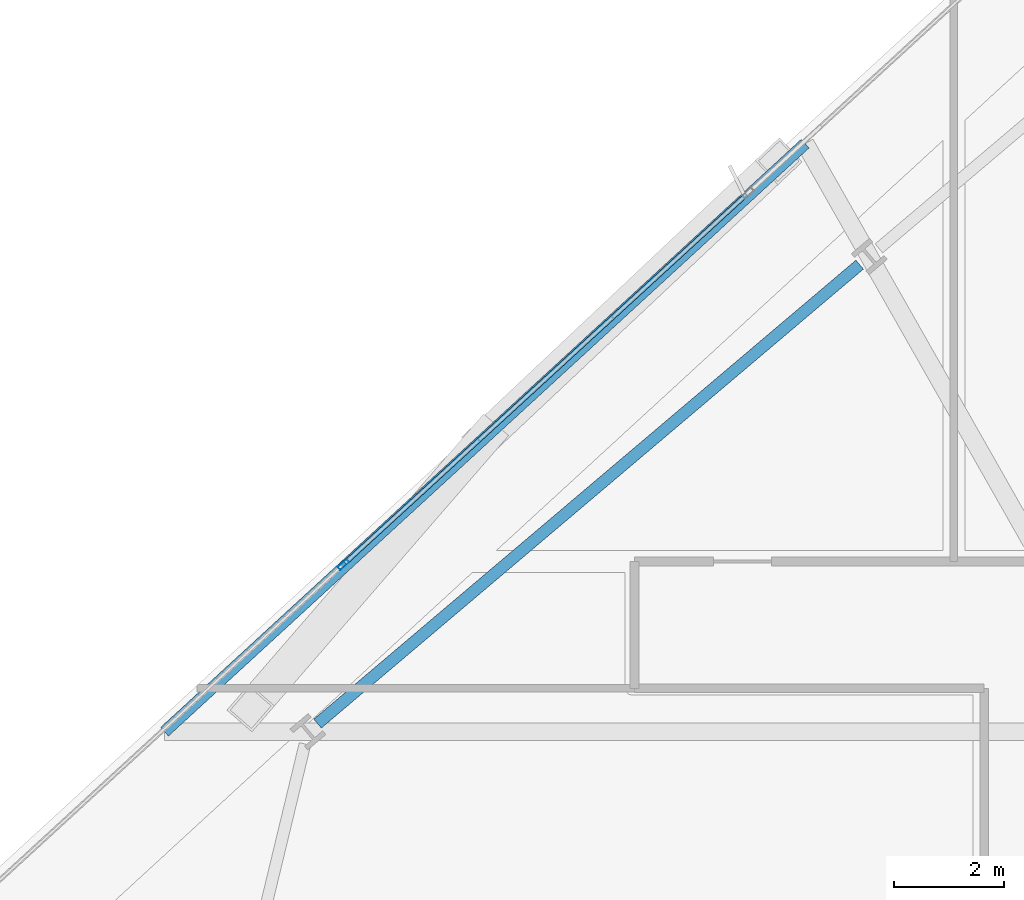
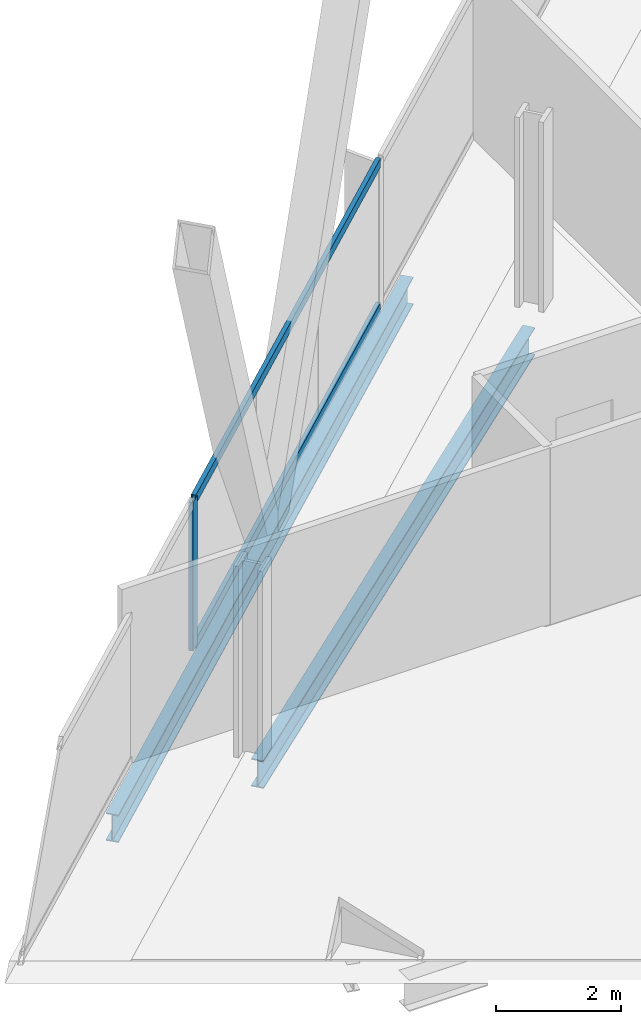
# One storey, part 15 of 32: 3 members, 2 beams, 1 element without a shape of its own.
"""IFC4 building model written with IfcOpenShell, lengths in metres."""

import ifcopenshell
import ifcopenshell.guid

model = None  # the IFC model being written
_history = None  # IfcOwnerHistory: only IFC2X3 demands one
_inside = {}  # id of a spatial element -> (the spatial element, [elements in it])
_under = {}  # id of a project, library or spatial element -> (it, [spatial elements below it])
_declared = {}  # id of a project -> (the project, [libraries it declares])
_typed = {}  # id of a type object -> (the type object, [elements of that type])
_made_of = {}  # id of a material, layer set ... -> (it, [elements and type objects made of it])


def new_model(schema):
    """Start an empty IFC model of exactly this schema.

    Asked for "IFC4X3", IfcOpenShell would pick the latest addendum, in which some entities
    have other attributes; the version numbers below select the first issue.
    IFC2X3 requires an IfcOwnerHistory on every rooted entity: one is made here for all.
    """
    global model, _history
    if schema == "IFC4X3":
        model = ifcopenshell.file(schema_version=(4, 3, 0, 0))
    else:
        model = ifcopenshell.file(schema=schema)
    _inside.clear()
    _under.clear()
    _declared.clear()
    _typed.clear()
    _made_of.clear()
    _history = None
    if model.schema == "IFC2X3":
        org = make("IfcOrganization", Name="unknown")
        user = make(
            "IfcPersonAndOrganization",
            ThePerson=make("IfcPerson", FamilyName="unknown"),
            TheOrganization=org,
        )
        app = make(
            "IfcApplication",
            ApplicationDeveloper=org,
            Version="unknown",
            ApplicationFullName="unknown",
            ApplicationIdentifier="unknown",
        )
        _history = make(
            "IfcOwnerHistory",
            OwningUser=user,
            OwningApplication=app,
            ChangeAction="ADDED",
            CreationDate=0,
        )
    return model


def make(cls, **values):
    """One entity of the class cls with the attributes given. An attribute that is None is left unset."""
    return model.create_entity(
        cls, **{name: value for name, value in values.items() if value is not None}
    )


def rooted(cls, **values):
    """An entity with a GlobalId (a new one), such as an element, a storey or a relation."""
    return make(cls, GlobalId=ifcopenshell.guid.new(), OwnerHistory=_history, **values)


def si_unit(unit_type, name, prefix=None):
    """IfcSIUnit, for example si_unit("LENGTHUNIT", "METRE", prefix="MILLI")."""
    return make("IfcSIUnit", UnitType=unit_type, Prefix=prefix, Name=name)


def assignment(units):
    """IfcUnitAssignment: the units of a project."""
    return None if units is None else make("IfcUnitAssignment", Units=units)


def point(xyz):
    """IfcCartesianPoint."""
    return None if xyz is None else make("IfcCartesianPoint", Coordinates=xyz)


def direction(xyz):
    """IfcDirection."""
    return None if xyz is None else make("IfcDirection", DirectionRatios=xyz)


def frame(location, z_axis=None, x_axis=None):
    """IfcAxis2Placement3D, a coordinate frame: its origin and axes. An axis left out is left unset."""
    return make(
        "IfcAxis2Placement3D",
        Location=point(location),
        Axis=direction(z_axis),
        RefDirection=direction(x_axis),
    )


def frame_2d(location, x_axis=None):
    """IfcAxis2Placement2D, a coordinate frame in the plane: its origin and x axis."""
    return make(
        "IfcAxis2Placement2D", Location=point(location), RefDirection=direction(x_axis)
    )


def origin():
    """The frame at (0, 0, 0) with its axes left unset."""
    return frame((0.0, 0.0, 0.0))


def origin_2d():
    """The frame at (0, 0) in the plane with its x axis left unset."""
    return frame_2d((0.0, 0.0))


def place(relative_to, where):
    """IfcLocalPlacement: puts the frame where relative to a parent placement (None: the world)."""
    return make(
        "IfcLocalPlacement", PlacementRelTo=relative_to, RelativePlacement=where
    )


def context(
    kind, dimensions, precision=None, world=None, true_north=None, identifier=None
):
    """IfcGeometricRepresentationContext, for example the 3D "Model" context."""
    return make(
        "IfcGeometricRepresentationContext",
        ContextIdentifier=identifier,
        ContextType=kind,
        CoordinateSpaceDimension=dimensions,
        Precision=precision,
        WorldCoordinateSystem=world,
        TrueNorth=true_north,
    )


def subcontext(parent, identifier, kind, view, scale=None):
    """IfcGeometricRepresentationSubContext, for example "Body" below "Model"."""
    return make(
        "IfcGeometricRepresentationSubContext",
        ContextIdentifier=identifier,
        ContextType=kind,
        ParentContext=parent,
        TargetScale=scale,
        TargetView=view,
    )


def project(units=None, contexts=None):
    """IfcProject with its units and contexts."""
    return rooted(
        "IfcProject",
        Name="project",
        RepresentationContexts=contexts,
        UnitsInContext=assignment(units),
    )


def spatial(cls, under=None, at=None, **own):
    """A site, building, storey or space (cls), placed at a placement, below another one or the project."""
    s = rooted(cls, ObjectPlacement=at, **own)
    if under is not None:
        _under.setdefault(under.id(), (under, []))[1].append(s)
    return s


def profile(cls, at=None, kind="AREA", **sizes):
    """A parametric profile (cls). Its sizes go by their IFC names, for example OverallWidth=200.0."""
    return make(cls, ProfileType=kind, Position=at, **sizes)


def hollow_rectangle(**sizes):
    """IfcRectangleHollowProfileDef."""
    return profile("IfcRectangleHollowProfileDef", **sizes)


def i_section(**sizes):
    """IfcIShapeProfileDef."""
    return profile("IfcIShapeProfileDef", **sizes)


def extrude(swept, where, along, depth):
    """IfcExtrudedAreaSolid: the profile swept, set in the frame where, extruded along a direction by depth."""
    return make(
        "IfcExtrudedAreaSolid",
        SweptArea=swept,
        Position=where,
        ExtrudedDirection=direction(along),
        Depth=depth,
    )


def shape(context_of_items, identifier, shape_type, items):
    """IfcShapeRepresentation: the items that make up one representation, for example the "Body"."""
    return make(
        "IfcShapeRepresentation",
        ContextOfItems=context_of_items,
        RepresentationIdentifier=identifier,
        RepresentationType=shape_type,
        Items=items,
    )


def material(Name=None, Category=None):
    """IfcMaterial."""
    return make("IfcMaterial", Name=Name, Category=Category)


def material_profile(
    of_material, cross_section, Name=None, Category=None, Priority=None
):
    """IfcMaterialProfile: a cross section and its material."""
    return make(
        "IfcMaterialProfile",
        Name=Name,
        Material=of_material,
        Profile=cross_section,
        Priority=Priority,
        Category=Category,
    )


def profile_set(profiles, Name=None, composite=None):
    """IfcMaterialProfileSet."""
    return make(
        "IfcMaterialProfileSet",
        Name=Name,
        MaterialProfiles=profiles,
        CompositeProfile=composite,
    )


def made_of(thing, what):
    """Note that an element or type object is made of a material, layer set ...; save() writes the relation."""
    if what is not None:
        _made_of.setdefault(what.id(), (what, []))[1].append(thing)
    return thing


def type_object(cls, material=None, **own):
    """A type object (cls), such as IfcWallType, which elements share."""
    return made_of(rooted(cls, **own), material)


def element(
    cls,
    number,
    at=None,
    inside=None,
    cuts=None,
    type_object=None,
    material=None,
    context=None,
    identifier="Body",
    shape_type=None,
    held_by="IfcProductDefinitionShape",
    body=None,
    shapes=None,
    **own,
):
    """One element of the class cls, such as IfcWall. Its Tag is "e" and its number.

    at: its placement. inside: the storey or other place that contains it. cuts: it is an
    opening in that element (IfcRelVoidsElement). A single representation is given by context,
    identifier, shape_type and body (its items); several are given by shapes. held_by: the class
    of the entity that holds the representations. save() writes the other relations.
    """
    e = rooted(cls, Tag="e%d" % number, ObjectPlacement=at, **own)
    if body is not None:
        shapes = [shape(context, identifier, shape_type, body)]
    if shapes is not None:
        e.Representation = make(held_by, Representations=shapes)
    if inside is not None:
        _inside.setdefault(inside.id(), (inside, []))[1].append(e)
    if cuts is not None:
        rooted(
            "IfcRelVoidsElement", RelatingBuildingElement=cuts, RelatedOpeningElement=e
        )
    if type_object is not None:
        _typed.setdefault(type_object.id(), (type_object, []))[1].append(e)
    return made_of(e, material)


def aggregate(whole, parts):
    """IfcRelAggregates: a whole, such as a stair, and the parts it consists of."""
    return rooted("IfcRelAggregates", RelatingObject=whole, RelatedObjects=parts)


def save(model, path):
    """Write the relations noted so far, then the file.

    IfcRelAggregates (storeys below a building ...), IfcRelContainedInSpatialStructure (elements
    in a storey), IfcRelDefinesByType, IfcRelAssociatesMaterial and IfcRelDeclares: one each for
    every whole, place, type object, material and project.
    """
    for whole, parts in _under.values():
        aggregate(whole, parts)
    for where, things in _inside.values():
        rooted(
            "IfcRelContainedInSpatialStructure",
            RelatedElements=things,
            RelatingStructure=where,
        )
    for kind, things in _typed.values():
        rooted("IfcRelDefinesByType", RelatedObjects=things, RelatingType=kind)
    for what, things in _made_of.values():
        rooted("IfcRelAssociatesMaterial", RelatedObjects=things, RelatingMaterial=what)
    for by, libraries in _declared.values():
        rooted("IfcRelDeclares", RelatingContext=by, RelatedDefinitions=libraries)
    model.write(path)


model = new_model("IFC4")

# Units and contexts
model_context = context("Model", 3, precision=1e-05, world=origin(), true_north=direction((0.0, 1.0)))
body_context = subcontext(model_context, "Body", "Model", "MODEL_VIEW")
ifc_project = project(units=[si_unit("LENGTHUNIT", "METRE"), si_unit("AREAUNIT", "SQUARE_METRE"), si_unit("VOLUMEUNIT", "CUBIC_METRE"), si_unit("PLANEANGLEUNIT", "RADIAN"), si_unit("MASSUNIT", "GRAM", prefix="KILO")], contexts=[model_context])

# Site, building, storey
site_placement = place(None, origin())
site = spatial("IfcSite", under=ifc_project, at=site_placement, CompositionType="ELEMENT")
building_placement = place(site_placement, origin())
building = spatial("IfcBuilding", under=site, at=building_placement, Name="Haldenkirk Collegiate Tower", CompositionType="ELEMENT")
storey_placement = place(building_placement, frame((0.0, 0.0, 170.699951171875)))
storey = spatial("IfcBuildingStorey", under=building, at=storey_placement, Name="L42", CompositionType="ELEMENT", Elevation=170.699951171875)

# Beams
ifc_material_1 = material(Name="Steel ASTM A992 Grade 50", Category="steel")
ifc_material_profile_1 = material_profile(ifc_material_1, i_section(OverallWidth=0.2119140625, OverallDepth=0.5439453125, WebThickness=0.01318359375, FlangeThickness=0.021240234375, at=origin_2d()), Name="W21X83")
ifc_profile_set_1 = profile_set([ifc_material_profile_1], Name="Steel ASTM A992 Grade 50")
beam_type = type_object("IfcBeamType", Name="BM-SPANDREL-W21X83", PredefinedType="SPANDREL", material=ifc_profile_set_1)
beam_1_placement = place(storey_placement, frame((22.288818359375, 41.841796875, -0.56201171875), z_axis=(-0.76322543275, -0.64613229203, 0.0), x_axis=(0.64613229203, -0.76322543275, 0.0)))
element("IfcBeam", 1, at=beam_1_placement, inside=storey, type_object=beam_type, Name="L42 perimeter spandrel beam 11", PredefinedType="SPANDREL", context=body_context, shape_type="SweptSolid", body=[
    extrude(i_section(OverallWidth=0.2119140625, OverallDepth=0.5439453125, WebThickness=0.01318359375, FlangeThickness=0.021240234375, at=origin_2d()), origin(), (0.0, 0.0, 1.0), 12.89794921875),
])
beam_2_placement = place(storey_placement, frame((21.300048828125, 44.039306640625, -0.56201171875), z_axis=(-0.736691290983, -0.676229208028, 0.0), x_axis=(0.676229208028, -0.736691290983, 0.0)))
element("IfcBeam", 2, at=beam_2_placement, inside=storey, type_object=beam_type, Name="L42 outer facade edge beam 3", PredefinedType="SPANDREL", context=body_context, shape_type="SweptSolid", body=[
    extrude(i_section(OverallWidth=0.2119140625, OverallDepth=0.5439453125, WebThickness=0.01318359375, FlangeThickness=0.021240234375, at=origin_2d()), origin(), (0.0, 0.0, 1.0), 15.792236328125),
])

# Curtain wall, members
ifc_material_2 = material(Name="Anodised architectural bronze aluminium", Category="aluminium")
curtain_wall_type = type_object("IfcCurtainWallType", Name="CW-SYS1-CONVEX-LOW", PredefinedType="USERDEFINED", material=ifc_material_2)
curtain_wall_placement = place(storey_placement, origin())
curtain_wall = element("IfcCurtainWall", 3, at=curtain_wall_placement, inside=storey, type_object=curtain_wall_type, Name="L42 Lower tower convex bronze-framed unitised curtain wall", ObjectType="UNITISED CURTAIN WALL", PredefinedType="USERDEFINED")
ifc_material_profile_2 = material_profile(ifc_material_2, hollow_rectangle(XDim=0.080078125, YDim=0.219970703125, WallThickness=0.0048828125, at=origin_2d()), Name="CW-MUL-1A")
ifc_profile_set_2 = profile_set([ifc_material_profile_2], Name="Anodised architectural bronze aluminium")
member_type_1 = type_object("IfcMemberType", Name="CW-MUL-1A", PredefinedType="MULLION", material=ifc_profile_set_2)
member_1_placement = place(storey_placement, frame((12.91552734375, 36.397216796875, 0.0), z_axis=(0.0, 0.0, 1.0), x_axis=(-0.676232341046, 0.736688415087, 0.0)))
member_1 = element("IfcMember", 4, at=member_1_placement, type_object=member_type_1, Name="CW-1A mullion 2", PredefinedType="MULLION", context=body_context, shape_type="SweptSolid", body=[
    extrude(hollow_rectangle(XDim=0.080078125, YDim=0.219970703125, WallThickness=0.0048828125, at=origin_2d()), origin(), (0.0, 0.0, 1.0), 2.9111328125),
])
ifc_material_profile_3 = material_profile(ifc_material_2, hollow_rectangle(XDim=0.080078125, YDim=0.179931640625, WallThickness=0.0048828125, at=origin_2d()), Name="CW-TRN-1A")
ifc_profile_set_3 = profile_set([ifc_material_profile_3], Name="Anodised architectural bronze aluminium")
member_type_2 = type_object("IfcMemberType", Name="CW-TRN-1A", PredefinedType="USERDEFINED", material=ifc_profile_set_3)
member_2_placement = place(storey_placement, frame((12.945068359375, 36.42431640625, 0.0400390625), z_axis=(0.736684897257, 0.676236173355, 0.0), x_axis=(-0.676236173355, 0.736684897257, 0.0)))
member_2 = element("IfcMember", 5, at=member_2_placement, type_object=member_type_2, Name="CW-1A transom 2.1", ObjectType="TRANSOM", PredefinedType="USERDEFINED", context=body_context, shape_type="SweptSolid", body=[
    extrude(hollow_rectangle(XDim=0.080078125, YDim=0.179931640625, WallThickness=0.0048828125, at=origin_2d()), origin(), (0.0, 0.0, 1.0), 9.89501953125),
])
member_3_placement = place(storey_placement, frame((12.945068359375, 36.42431640625, 2.87109375), z_axis=(0.736684897257, 0.676236173355, 0.0), x_axis=(-0.676236173355, 0.736684897257, 0.0)))
member_3 = element("IfcMember", 6, at=member_3_placement, type_object=member_type_2, Name="CW-1A transom 2.2", ObjectType="TRANSOM", PredefinedType="USERDEFINED", context=body_context, shape_type="SweptSolid", body=[
    extrude(hollow_rectangle(XDim=0.080078125, YDim=0.179931640625, WallThickness=0.0048828125, at=origin_2d()), origin(), (0.0, 0.0, 1.0), 9.89501953125),
])
aggregate(curtain_wall, [member_1, member_2, member_3])

save(model, "model.ifc")
